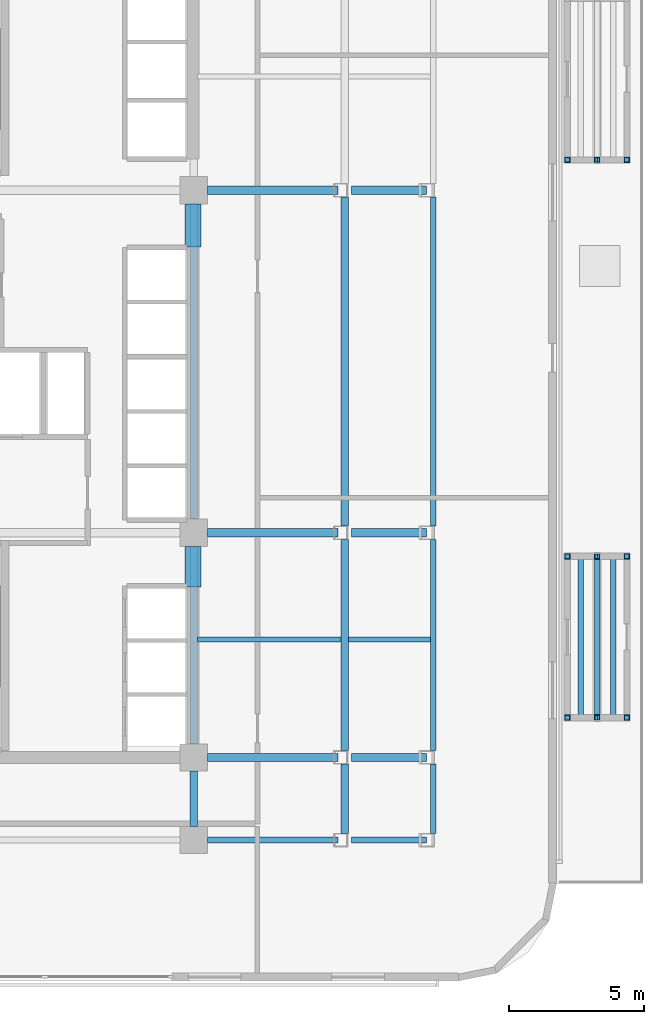
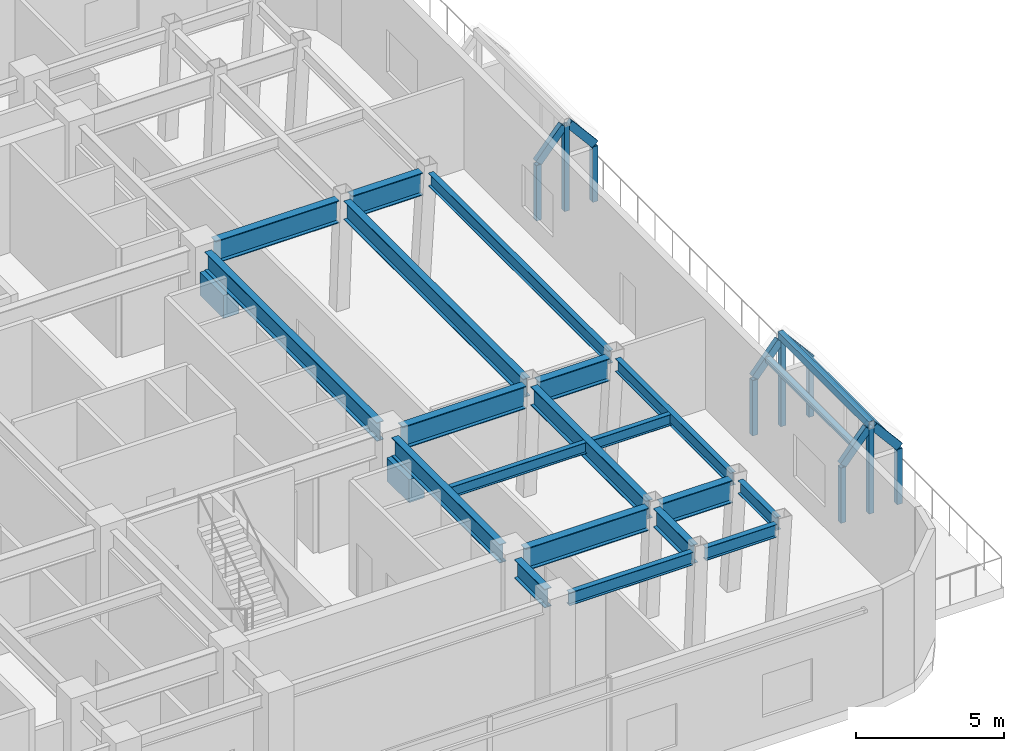
# One storey, part 4 of 18: 21 beams, 18 members.
"""IFC4 building model written with IfcOpenShell, lengths in metres."""

from ifc_helpers import new_model, si_unit, direction, frame, origin, origin_2d, place, context, subcontext, project, spatial, rectangle, hollow_rectangle, i_section, extrude, material, material_profile, profile_set, type_object, element, save


model = new_model("IFC4")

# Units and contexts
model_context = context("Model", 3, precision=1e-05, world=origin(), true_north=direction((0.0, 1.0)))
body_context = subcontext(model_context, "Body", "Model", "MODEL_VIEW")
ifc_project = project(units=[si_unit("LENGTHUNIT", "METRE"), si_unit("AREAUNIT", "SQUARE_METRE"), si_unit("VOLUMEUNIT", "CUBIC_METRE"), si_unit("PLANEANGLEUNIT", "RADIAN"), si_unit("MASSUNIT", "GRAM", prefix="KILO")], contexts=[model_context])

# Site, building, storey
site_placement = place(None, origin())
site = spatial("IfcSite", under=ifc_project, at=site_placement, CompositionType="ELEMENT")
building_placement = place(site_placement, origin())
building = spatial("IfcBuilding", under=site, at=building_placement, Name="Ochreholt Gables", CompositionType="ELEMENT")
storey_placement = place(building_placement, frame((0.0, 0.0, 19.199951171875)))
storey = spatial("IfcBuildingStorey", under=building, at=storey_placement, Name="L04", CompositionType="ELEMENT", Elevation=19.199951171875)

# Beams
ifc_material_1 = material(Name="Concrete 60 MPa", Category="concrete")
ifc_material_profile_1 = material_profile(ifc_material_1, rectangle(XDim=0.60009765625, YDim=0.949951171875, at=origin_2d()), Name="RCB600X950")
ifc_profile_set_1 = profile_set([ifc_material_profile_1], Name="Concrete 60 MPa")
beam_type_1 = type_object("IfcBeamType", Name="BM-CPL-RC600", PredefinedType="LINTEL", material=ifc_profile_set_1)
beam_1_placement = place(storey_placement, frame((35.175048828125, 15.550048828125, 3.255126953125), z_axis=(0.0, 1.0, 0.0), x_axis=(-1.0, 0.0, 0.0)))
element("IfcBeam", 1, at=beam_1_placement, inside=storey, type_object=beam_type_1, Name="L04 Core Coupling Lintel CPS", PredefinedType="LINTEL", context=body_context, shape_type="SweptSolid", body=[
    extrude(rectangle(XDim=0.60009765625, YDim=0.949951171875, at=origin_2d()), origin(), (0.0, 0.0, 1.0), 1.5),
])
beam_2_placement = place(storey_placement, frame((35.175048828125, 28.10009765625, 3.255126953125), z_axis=(0.0, 1.0, 0.0), x_axis=(-1.0, 0.0, 0.0)))
element("IfcBeam", 2, at=beam_2_placement, inside=storey, type_object=beam_type_1, Name="L04 Core Coupling Lintel CPN", PredefinedType="LINTEL", context=body_context, shape_type="SweptSolid", body=[
    extrude(rectangle(XDim=0.60009765625, YDim=0.949951171875, at=origin_2d()), origin(), (0.0, 0.0, 1.0), 1.599853515625),
])
ifc_material_2 = material(Name="Steel CSA G40.21 350W", Category="steel")
ifc_material_profile_2 = material_profile(ifc_material_2, i_section(OverallWidth=0.26806640625, OverallDepth=0.77001953125, WebThickness=0.015625, FlangeThickness=0.025390625, at=origin_2d()), Name="W760X196")
ifc_profile_set_2 = profile_set([ifc_material_profile_2], Name="Steel CSA G40.21 350W")
beam_type_2 = type_object("IfcBeamType", Name="BM-G-W760", PredefinedType="BEAM", material=ifc_profile_set_2)
beam_3_placement = place(storey_placement, frame((35.199951171875, 6.69970703125, 4.114990234375), z_axis=(0.0, 1.0, 0.0), x_axis=(-1.0, 0.0, 0.0)))
element("IfcBeam", 3, at=beam_3_placement, inside=storey, type_object=beam_type_2, Name="L04 Beam BG-L04-C2-Y1Y2", PredefinedType="BEAM", context=body_context, shape_type="SweptSolid", body=[
    extrude(i_section(OverallWidth=0.26806640625, OverallDepth=0.77001953125, WebThickness=0.015625, FlangeThickness=0.025390625, at=origin_2d()), origin(), (0.0, 0.0, 1.0), 2.05078125),
])
beam_4_placement = place(storey_placement, frame((35.199951171875, 9.74951171875, 4.114990234375), z_axis=(0.0, 1.0, 0.0), x_axis=(-1.0, 0.0, 0.0)))
element("IfcBeam", 4, at=beam_4_placement, inside=storey, type_object=beam_type_2, Name="L04 Beam BG-L04-C2-Y2Y3", PredefinedType="BEAM", context=body_context, shape_type="SweptSolid", body=[
    extrude(i_section(OverallWidth=0.26806640625, OverallDepth=0.77001953125, WebThickness=0.015625, FlangeThickness=0.025390625, at=origin_2d()), origin(), (0.0, 0.0, 1.0), 7.30078125),
])
beam_5_placement = place(storey_placement, frame((35.199951171875, 18.049560546875, 4.114990234375), z_axis=(0.0, 1.0, 0.0), x_axis=(-1.0, 0.0, 0.0)))
element("IfcBeam", 5, at=beam_5_placement, inside=storey, type_object=beam_type_2, Name="L04 Beam BG-L04-C2-Y3Y4", PredefinedType="BEAM", context=body_context, shape_type="SweptSolid", body=[
    extrude(i_section(OverallWidth=0.26806640625, OverallDepth=0.77001953125, WebThickness=0.015625, FlangeThickness=0.025390625, at=origin_2d()), origin(), (0.0, 0.0, 1.0), 11.65087890625),
])
beam_6_placement = place(storey_placement, frame((40.77587890625, 6.44970703125, 4.114990234375), z_axis=(0.0, 1.0, 0.0), x_axis=(-1.0, 0.0, 0.0)))
element("IfcBeam", 6, at=beam_6_placement, inside=storey, type_object=beam_type_2, Name="L04 Beam BG-L04-EM-Y1Y2", PredefinedType="BEAM", context=body_context, shape_type="SweptSolid", body=[
    extrude(i_section(OverallWidth=0.26806640625, OverallDepth=0.77001953125, WebThickness=0.015625, FlangeThickness=0.025390625, at=origin_2d()), origin(), (0.0, 0.0, 1.0), 2.55078125),
])
beam_7_placement = place(storey_placement, frame((40.77587890625, 9.49951171875, 4.114990234375), z_axis=(0.0, 1.0, 0.0), x_axis=(-1.0, 0.0, 0.0)))
element("IfcBeam", 7, at=beam_7_placement, inside=storey, type_object=beam_type_2, Name="L04 Beam BG-L04-EM-Y2Y3", PredefinedType="BEAM", context=body_context, shape_type="SweptSolid", body=[
    extrude(i_section(OverallWidth=0.26806640625, OverallDepth=0.77001953125, WebThickness=0.015625, FlangeThickness=0.025390625, at=origin_2d()), origin(), (0.0, 0.0, 1.0), 7.80078125),
])
beam_8_placement = place(storey_placement, frame((40.77587890625, 17.799560546875, 4.114990234375), z_axis=(0.0, 1.0, 0.0), x_axis=(-1.0, 0.0, 0.0)))
element("IfcBeam", 8, at=beam_8_placement, inside=storey, type_object=beam_type_2, Name="L04 Beam BG-L04-EM-Y3Y4", PredefinedType="BEAM", context=body_context, shape_type="SweptSolid", body=[
    extrude(i_section(OverallWidth=0.26806640625, OverallDepth=0.77001953125, WebThickness=0.015625, FlangeThickness=0.025390625, at=origin_2d()), origin(), (0.0, 0.0, 1.0), 12.15087890625),
])
ifc_material_profile_3 = material_profile(ifc_material_2, i_section(OverallWidth=0.30810546875, OverallDepth=0.927001953125, WebThickness=0.019287109375, FlangeThickness=0.031982421875, at=origin_2d()), Name="W920X289")
ifc_profile_set_3 = profile_set([ifc_material_profile_3], Name="Steel CSA G40.21 350W")
beam_type_3 = type_object("IfcBeamType", Name="BM-G-W920", PredefinedType="BEAM", material=ifc_profile_set_3)
beam_9_placement = place(storey_placement, frame((35.69970703125, 9.25, 4.03662109375), z_axis=(1.0, 0.0, 0.0), x_axis=(0.0, 1.0, 0.0)))
element("IfcBeam", 9, at=beam_9_placement, inside=storey, type_object=beam_type_3, Name="L04 Beam BG-L04-C2EM-Y2", PredefinedType="BEAM", context=body_context, shape_type="SweptSolid", body=[
    extrude(i_section(OverallWidth=0.30810546875, OverallDepth=0.927001953125, WebThickness=0.019287109375, FlangeThickness=0.031982421875, at=origin_2d()), origin(), (0.0, 0.0, 1.0), 4.82666015625),
])
beam_10_placement = place(storey_placement, frame((41.025634765625, 9.25, 4.03662109375), z_axis=(1.0, 0.0, 0.0), x_axis=(0.0, 1.0, 0.0)))
element("IfcBeam", 10, at=beam_10_placement, inside=storey, type_object=beam_type_3, Name="L04 Beam BG-L04-EMEE-Y2", PredefinedType="BEAM", context=body_context, shape_type="SweptSolid", body=[
    extrude(i_section(OverallWidth=0.30810546875, OverallDepth=0.927001953125, WebThickness=0.019287109375, FlangeThickness=0.031982421875, at=origin_2d()), origin(), (0.0, 0.0, 1.0), 2.773681640625),
])
beam_11_placement = place(storey_placement, frame((35.69970703125, 17.550048828125, 4.03662109375), z_axis=(1.0, 0.0, 0.0), x_axis=(0.0, 1.0, 0.0)))
element("IfcBeam", 11, at=beam_11_placement, inside=storey, type_object=beam_type_3, Name="L04 Beam BG-L04-C2EM-Y3", PredefinedType="BEAM", context=body_context, shape_type="SweptSolid", body=[
    extrude(i_section(OverallWidth=0.30810546875, OverallDepth=0.927001953125, WebThickness=0.019287109375, FlangeThickness=0.031982421875, at=origin_2d()), origin(), (0.0, 0.0, 1.0), 4.82666015625),
])
beam_12_placement = place(storey_placement, frame((41.025634765625, 17.550048828125, 4.03662109375), z_axis=(1.0, 0.0, 0.0), x_axis=(0.0, 1.0, 0.0)))
element("IfcBeam", 12, at=beam_12_placement, inside=storey, type_object=beam_type_3, Name="L04 Beam BG-L04-EMEE-Y3", PredefinedType="BEAM", context=body_context, shape_type="SweptSolid", body=[
    extrude(i_section(OverallWidth=0.30810546875, OverallDepth=0.927001953125, WebThickness=0.019287109375, FlangeThickness=0.031982421875, at=origin_2d()), origin(), (0.0, 0.0, 1.0), 2.773681640625),
])
beam_13_placement = place(storey_placement, frame((35.69970703125, 30.199951171875, 4.03662109375), z_axis=(1.0, 0.0, 0.0), x_axis=(0.0, 1.0, 0.0)))
element("IfcBeam", 13, at=beam_13_placement, inside=storey, type_object=beam_type_3, Name="L04 Beam BG-L04-C2EM-Y4", PredefinedType="BEAM", context=body_context, shape_type="SweptSolid", body=[
    extrude(i_section(OverallWidth=0.30810546875, OverallDepth=0.927001953125, WebThickness=0.019287109375, FlangeThickness=0.031982421875, at=origin_2d()), origin(), (0.0, 0.0, 1.0), 4.82666015625),
])
beam_14_placement = place(storey_placement, frame((41.025634765625, 30.199951171875, 4.03662109375), z_axis=(1.0, 0.0, 0.0), x_axis=(0.0, 1.0, 0.0)))
element("IfcBeam", 14, at=beam_14_placement, inside=storey, type_object=beam_type_3, Name="L04 Beam BG-L04-EMEE-Y4", PredefinedType="BEAM", context=body_context, shape_type="SweptSolid", body=[
    extrude(i_section(OverallWidth=0.30810546875, OverallDepth=0.927001953125, WebThickness=0.019287109375, FlangeThickness=0.031982421875, at=origin_2d()), origin(), (0.0, 0.0, 1.0), 2.773681640625),
])
ifc_material_profile_4 = material_profile(ifc_material_2, i_section(OverallWidth=0.18994140625, OverallDepth=0.45703125, WebThickness=0.009033203125, FlangeThickness=0.014404296875, at=origin_2d()), Name="W460X74")
ifc_profile_set_4 = profile_set([ifc_material_profile_4], Name="Steel CSA G40.21 350W")
beam_type_4 = type_object("IfcBeamType", Name="BM-J-W460B", PredefinedType="JOIST", material=ifc_profile_set_4)
beam_15_placement = place(storey_placement, frame((35.33349609375, 13.60009765625, 4.271484375), z_axis=(1.0, 0.0, 0.0), x_axis=(0.0, 1.0, 0.0)))
element("IfcBeam", 15, at=beam_15_placement, inside=storey, type_object=beam_type_4, Name="L04 Beam BJ-L04-J1-C2EM", PredefinedType="JOIST", context=body_context, shape_type="SweptSolid", body=[
    extrude(i_section(OverallWidth=0.18994140625, OverallDepth=0.45703125, WebThickness=0.009033203125, FlangeThickness=0.014404296875, at=origin_2d()), origin(), (0.0, 0.0, 1.0), 5.308837890625),
])
beam_16_placement = place(storey_placement, frame((40.90966796875, 13.60009765625, 4.271484375), z_axis=(1.0, 0.0, 0.0), x_axis=(0.0, 1.0, 0.0)))
element("IfcBeam", 16, at=beam_16_placement, inside=storey, type_object=beam_type_4, Name="L04 Beam BJ-L04-J1-EMEE", PredefinedType="JOIST", context=body_context, shape_type="SweptSolid", body=[
    extrude(i_section(OverallWidth=0.18994140625, OverallDepth=0.45703125, WebThickness=0.009033203125, FlangeThickness=0.014404296875, at=origin_2d()), origin(), (0.0, 0.0, 1.0), 3.034912109375),
])
ifc_material_profile_5 = material_profile(ifc_material_2, i_section(OverallWidth=0.208984375, OverallDepth=0.532958984375, WebThickness=0.01025390625, FlangeThickness=0.015625, at=origin_2d()), Name="W530X92")
ifc_profile_set_5 = profile_set([ifc_material_profile_5], Name="Steel CSA G40.21 350W")
beam_type_5 = type_object("IfcBeamType", Name="BM-SP-W530B", PredefinedType="SPANDREL", material=ifc_profile_set_5)
beam_17_placement = place(storey_placement, frame((35.69970703125, 6.199951171875, 4.233642578125), z_axis=(1.0, 0.0, 0.0), x_axis=(0.0, 1.0, 0.0)))
element("IfcBeam", 17, at=beam_17_placement, inside=storey, type_object=beam_type_5, Name="L04 Beam BG-L04-C2EM-Y1", PredefinedType="SPANDREL", context=body_context, shape_type="SweptSolid", body=[
    extrude(i_section(OverallWidth=0.208984375, OverallDepth=0.532958984375, WebThickness=0.01025390625, FlangeThickness=0.015625, at=origin_2d()), origin(), (0.0, 0.0, 1.0), 4.82666015625),
])
beam_18_placement = place(storey_placement, frame((41.025634765625, 6.199951171875, 4.233642578125), z_axis=(1.0, 0.0, 0.0), x_axis=(0.0, 1.0, 0.0)))
element("IfcBeam", 18, at=beam_18_placement, inside=storey, type_object=beam_type_5, Name="L04 Beam BG-L04-EMEE-Y1", PredefinedType="SPANDREL", context=body_context, shape_type="SweptSolid", body=[
    extrude(i_section(OverallWidth=0.208984375, OverallDepth=0.532958984375, WebThickness=0.01025390625, FlangeThickness=0.015625, at=origin_2d()), origin(), (0.0, 0.0, 1.0), 2.773681640625),
])
beam_19_placement = place(storey_placement, frame((44.048828125, 6.44970703125, 4.233642578125), z_axis=(0.0, 1.0, 0.0), x_axis=(-1.0, 0.0, 0.0)))
element("IfcBeam", 19, at=beam_19_placement, inside=storey, type_object=beam_type_5, Name="L04 Beam BG-L04-EE-Y1Y2", PredefinedType="SPANDREL", context=body_context, shape_type="SweptSolid", body=[
    extrude(i_section(OverallWidth=0.208984375, OverallDepth=0.532958984375, WebThickness=0.01025390625, FlangeThickness=0.015625, at=origin_2d()), origin(), (0.0, 0.0, 1.0), 2.55078125),
])
beam_20_placement = place(storey_placement, frame((44.048828125, 9.49951171875, 4.233642578125), z_axis=(0.0, 1.0, 0.0), x_axis=(-1.0, 0.0, 0.0)))
element("IfcBeam", 20, at=beam_20_placement, inside=storey, type_object=beam_type_5, Name="L04 Beam BG-L04-EE-Y2Y3", PredefinedType="SPANDREL", context=body_context, shape_type="SweptSolid", body=[
    extrude(i_section(OverallWidth=0.208984375, OverallDepth=0.532958984375, WebThickness=0.01025390625, FlangeThickness=0.015625, at=origin_2d()), origin(), (0.0, 0.0, 1.0), 7.80078125),
])
beam_21_placement = place(storey_placement, frame((44.048828125, 17.799560546875, 4.233642578125), z_axis=(0.0, 1.0, 0.0), x_axis=(-1.0, 0.0, 0.0)))
element("IfcBeam", 21, at=beam_21_placement, inside=storey, type_object=beam_type_5, Name="L04 Beam BG-L04-EE-Y3Y4", PredefinedType="SPANDREL", context=body_context, shape_type="SweptSolid", body=[
    extrude(i_section(OverallWidth=0.208984375, OverallDepth=0.532958984375, WebThickness=0.01025390625, FlangeThickness=0.015625, at=origin_2d()), origin(), (0.0, 0.0, 1.0), 12.15087890625),
])

# Members
ifc_material_profile_6 = material_profile(ifc_material_2, hollow_rectangle(XDim=0.202880859375, YDim=0.202880859375, WallThickness=0.009521484375, at=origin_2d()), Name="HSS203X203X10")
ifc_profile_set_6 = profile_set([ifc_material_profile_6], Name="Steel CSA G40.21 350W")
member_type_1 = type_object("IfcMemberType", Name="MEM-GB-PR1", PredefinedType="PURLIN", material=ifc_profile_set_6)
for number, where, z_axis, x_axis, name in (
    (22, (49.49951171875, 10.797119140625, 2.974609375), (0.0, 1.0, 0.0), (-1.0, 0.0, 0.0), "L04 Gable West Purlin GB-04E1"),
    (23, (50.700439453125, 10.797119140625, 2.974609375), (0.0, 1.0, 0.0), (-1.0, 0.0, 0.0), "L04 Gable East Purlin GB-04E1"),
):
    element("IfcMember", number, at=place(storey_placement, frame(where, z_axis=z_axis, x_axis=x_axis)), inside=storey, type_object=member_type_1, Name=name, PredefinedType="PURLIN", context=body_context, shape_type="SweptSolid", body=[
        extrude(hollow_rectangle(XDim=0.202880859375, YDim=0.202880859375, WallThickness=0.009521484375, at=origin_2d()), origin(), (0.0, 0.0, 1.0), 5.805908203125),
    ])
ifc_material_profile_7 = material_profile(ifc_material_2, hollow_rectangle(XDim=0.202880859375, YDim=0.202880859375, WallThickness=0.009521484375, at=origin_2d()), Name="HSS203X203X10")
ifc_profile_set_7 = profile_set([ifc_material_profile_7], Name="Steel CSA G40.21 350W")
member_type_2 = type_object("IfcMemberType", Name="MEM-GB-PT2", PredefinedType="POST", material=ifc_profile_set_7)
for number, where, z_axis, x_axis, name in (
    (24, (49.0, 10.719970703125, 0.0), (0.0, 0.0, 1.0), (1.0, 0.0, 0.0), "L04 Gable Pavilion Post GB-04E1-P1"),
    (25, (51.199951171875, 10.719970703125, 0.0), (0.0, 0.0, 1.0), (1.0, 0.0, 0.0), "L04 Gable Pavilion Post GB-04E1-P2"),
    (26, (51.199951171875, 16.679931640625, 0.0), (0.0, 0.0, 1.0), (1.0, 0.0, 0.0), "L04 Gable Pavilion Post GB-04E1-P3"),
    (27, (49.0, 16.679931640625, 0.0), (0.0, 0.0, 1.0), (1.0, 0.0, 0.0), "L04 Gable Pavilion Post GB-04E1-P4"),
):
    element("IfcMember", number, at=place(storey_placement, frame(where, z_axis=z_axis, x_axis=x_axis)), inside=storey, type_object=member_type_2, Name=name, PredefinedType="POST", context=body_context, shape_type="SweptSolid", body=[
        extrude(hollow_rectangle(XDim=0.202880859375, YDim=0.202880859375, WallThickness=0.009521484375, at=origin_2d()), origin(), (0.0, 0.0, 1.0), 2.288330078125),
    ])
for number, where, z_axis, x_axis, name in (
    (28, (50.10009765625, 10.719970703125, 0.0), (0.0, 0.0, 1.0), (1.0, 0.0, 0.0), "L04 Gable Ridge Post GB-04E1-PRG1"),
    (29, (50.10009765625, 16.679931640625, 0.0), (0.0, 0.0, 1.0), (1.0, 0.0, 0.0), "L04 Gable Ridge Post GB-04E1-PRG2"),
):
    element("IfcMember", number, at=place(storey_placement, frame(where, z_axis=z_axis, x_axis=x_axis)), inside=storey, type_object=member_type_2, Name=name, PredefinedType="POST", context=body_context, shape_type="SweptSolid", body=[
        extrude(hollow_rectangle(XDim=0.202880859375, YDim=0.202880859375, WallThickness=0.009521484375, at=origin_2d()), origin(), (0.0, 0.0, 1.0), 3.530029296875),
    ])
for number, where, z_axis, x_axis, name in (
    (30, (49.0, 31.320068359375, 0.0), (0.0, 0.0, 1.0), (1.0, 0.0, 0.0), "L04 Gable Pavilion Post GB-04E2-P1"),
    (31, (51.199951171875, 31.320068359375, 0.0), (0.0, 0.0, 1.0), (1.0, 0.0, 0.0), "L04 Gable Pavilion Post GB-04E2-P2"),
):
    element("IfcMember", number, at=place(storey_placement, frame(where, z_axis=z_axis, x_axis=x_axis)), inside=storey, type_object=member_type_2, Name=name, PredefinedType="POST", context=body_context, shape_type="SweptSolid", body=[
        extrude(hollow_rectangle(XDim=0.202880859375, YDim=0.202880859375, WallThickness=0.009521484375, at=origin_2d()), origin(), (0.0, 0.0, 1.0), 2.288330078125),
    ])
member_1_placement = place(storey_placement, frame((50.10009765625, 31.320068359375, 0.0), z_axis=(0.0, 0.0, 1.0), x_axis=(1.0, 0.0, 0.0)))
element("IfcMember", 32, at=member_1_placement, inside=storey, type_object=member_type_2, Name="L04 Gable Ridge Post GB-04E2-PRG1", PredefinedType="POST", context=body_context, shape_type="SweptSolid", body=[
    extrude(hollow_rectangle(XDim=0.202880859375, YDim=0.202880859375, WallThickness=0.009521484375, at=origin_2d()), origin(), (0.0, 0.0, 1.0), 3.530029296875),
])
ifc_material_profile_8 = material_profile(ifc_material_2, hollow_rectangle(XDim=0.202880859375, YDim=0.304931640625, WallThickness=0.0126953125, at=origin_2d()), Name="HSS305X203X13")
ifc_profile_set_8 = profile_set([ifc_material_profile_8], Name="Steel CSA G40.21 350W")
member_type_3 = type_object("IfcMemberType", Name="MEM-GB-RF1", PredefinedType="RAFTER", material=ifc_profile_set_8)
for number, where, z_axis, x_axis, name in (
    (33, (49.0, 10.719970703125, 2.36474609375), (0.645928085698, 0.0, 0.763398263102), (0.0, 1.0, 0.0), "L04 Gable West Rafter 1 GB-04E1"),
    (34, (51.199951171875, 10.719970703125, 2.36474609375), (-0.645928085698, 0.0, 0.763398263102), (0.0, -1.0, 0.0), "L04 Gable East Rafter 1 GB-04E1"),
    (35, (49.0, 16.679931640625, 2.36474609375), (0.645928085698, 0.0, 0.763398263102), (0.0, 1.0, 0.0), "L04 Gable West Rafter 2 GB-04E1"),
    (36, (51.199951171875, 16.679931640625, 2.36474609375), (-0.645928085698, 0.0, 0.763398263102), (0.0, -1.0, 0.0), "L04 Gable East Rafter 2 GB-04E1"),
    (37, (49.0, 31.320068359375, 2.36474609375), (0.645928085698, 0.0, 0.763398263102), (0.0, 1.0, 0.0), "L04 Gable West Rafter 1 GB-04E2"),
    (38, (51.199951171875, 31.320068359375, 2.36474609375), (-0.645928085698, 0.0, 0.763398263102), (0.0, -1.0, 0.0), "L04 Gable East Rafter 1 GB-04E2"),
):
    element("IfcMember", number, at=place(storey_placement, frame(where, z_axis=z_axis, x_axis=x_axis)), inside=storey, type_object=member_type_3, Name=name, PredefinedType="RAFTER", context=body_context, shape_type="SweptSolid", body=[
        extrude(hollow_rectangle(XDim=0.202880859375, YDim=0.304931640625, WallThickness=0.0126953125, at=origin_2d()), origin(), (0.0, 0.0, 1.0), 1.54638671875),
    ])
ifc_material_profile_9 = material_profile(ifc_material_2, hollow_rectangle(XDim=0.202880859375, YDim=0.304931640625, WallThickness=0.0126953125, at=origin_2d()), Name="HSS305X203X13")
ifc_profile_set_9 = profile_set([ifc_material_profile_9], Name="Steel CSA G40.21 350W")
member_type_4 = type_object("IfcMemberType", Name="MEM-GB-RF1E", PredefinedType="RAFTER", material=ifc_profile_set_9)
member_2_placement = place(storey_placement, frame((50.10009765625, 10.6201171875, 3.66455078125), z_axis=(0.0, 1.0, 0.0), x_axis=(-1.0, 0.0, 0.0)))
element("IfcMember", 39, at=member_2_placement, inside=storey, type_object=member_type_4, Name="L04 Gable Ridge Member GB-04E1", PredefinedType="RAFTER", context=body_context, shape_type="SweptSolid", body=[
    extrude(hollow_rectangle(XDim=0.202880859375, YDim=0.304931640625, WallThickness=0.0126953125, at=origin_2d()), origin(), (0.0, 0.0, 1.0), 6.159912109375),
])

save(model, "model.ifc")
